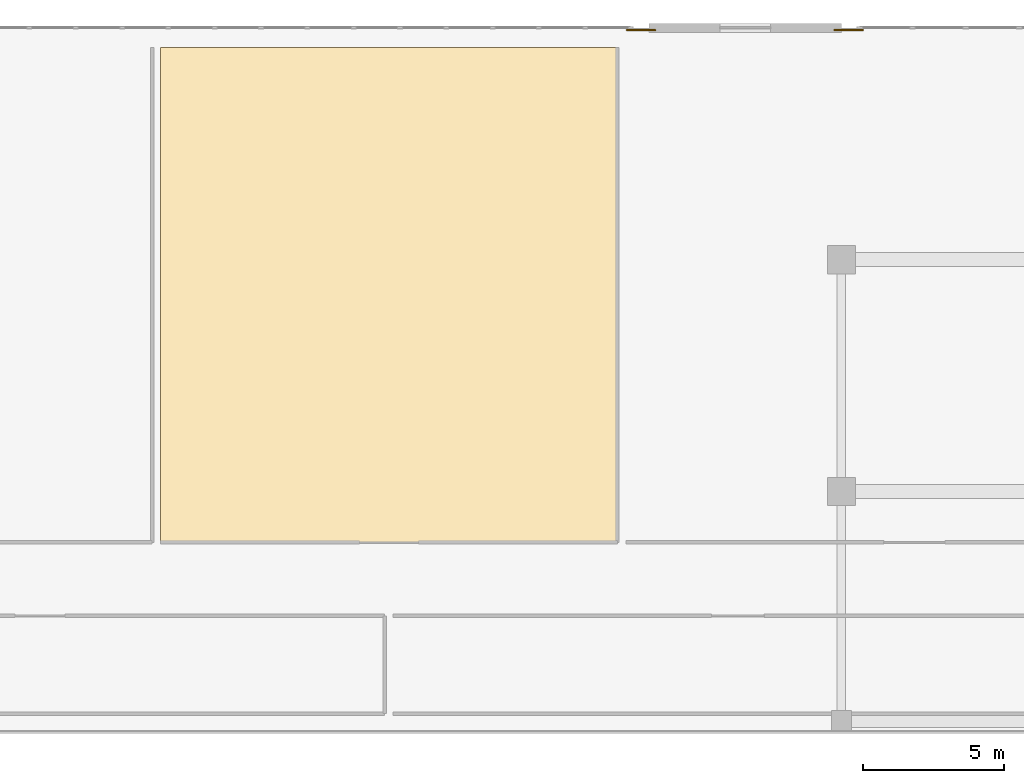
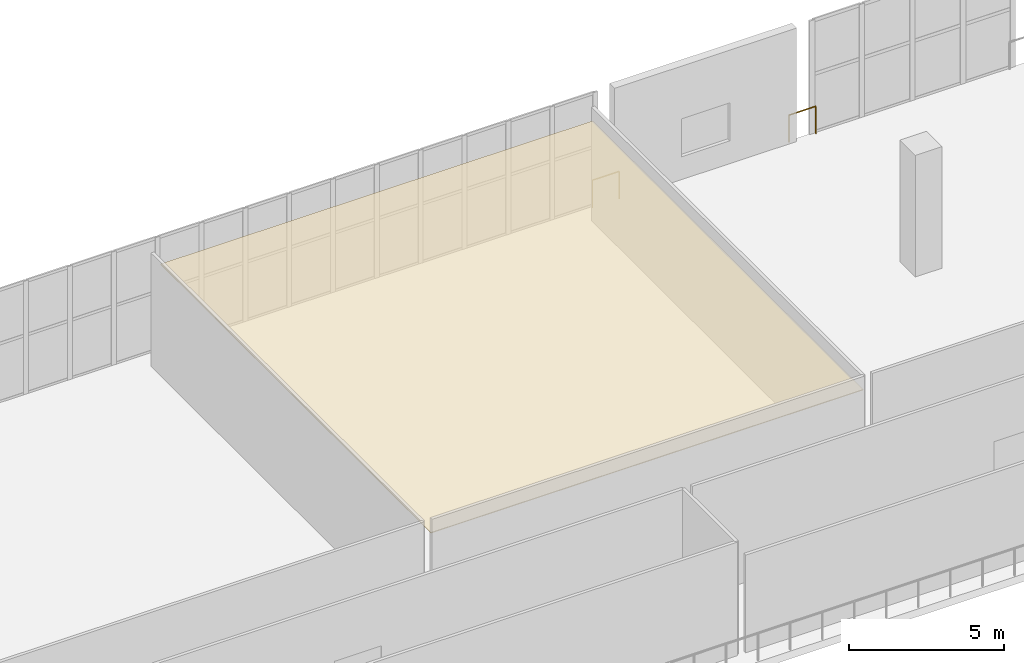
# One storey, part 140 of 142: 2 railings, 1 covering.
"""IFC4 building model written with IfcOpenShell, lengths in metres."""

from ifc_helpers import new_model, si_unit, direction, frame, origin, origin_2d, place, context, subcontext, project, spatial, polyline, circle, outline, extrude, material, layer, layer_set, type_object, element, save


model = new_model("IFC4")

# Units and contexts
model_context = context("Model", 3, precision=1e-05, world=origin(), true_north=direction((0.0, 1.0)))
body_context = subcontext(model_context, "Body", "Model", "MODEL_VIEW")
ifc_project = project(units=[si_unit("LENGTHUNIT", "METRE"), si_unit("AREAUNIT", "SQUARE_METRE"), si_unit("VOLUMEUNIT", "CUBIC_METRE"), si_unit("PLANEANGLEUNIT", "RADIAN"), si_unit("MASSUNIT", "GRAM", prefix="KILO")], contexts=[model_context])

# Site, building, storey
site_placement = place(None, origin())
site = spatial("IfcSite", under=ifc_project, at=site_placement, CompositionType="ELEMENT")
building_placement = place(site_placement, origin())
building = spatial("IfcBuilding", under=site, at=building_placement, Name="Koshinbarg Plaza Stadium", CompositionType="ELEMENT")
storey_placement = place(building_placement, frame((0.0, 0.0, 10.199951171875)))
storey = spatial("IfcBuildingStorey", under=building, at=storey_placement, Name="L02", CompositionType="ELEMENT", Elevation=10.199951171875)

# Covering
ifc_material_1 = material(Name="Perforated gypsum acoustic ceiling board")
ifc_layer = layer(ifc_material_1, 0.030029296875)
ifc_layer_set = layer_set([ifc_layer], Name="Perforated gypsum acoustic ceiling board")
covering_type = type_object("IfcCoveringType", Name="COV-CEIL-01", PredefinedType="CEILING", material=ifc_layer_set)
covering_placement = place(storey_placement, frame((0.0, 0.0, 3.89013671875)))
element("IfcCovering", 1, at=covering_placement, inside=storey, type_object=covering_type, Name="L02 Tashkent Sporting Archive Hall acoustic ceiling 026", PredefinedType="CEILING", context=body_context, shape_type="SweptSolid", body=[
    extrude(outline(polyline([(138.723388671875, 133.800048828125), (154.876708984375, 133.800048828125), (154.876708984375, 151.300048828125), (138.723388671875, 151.300048828125), (138.723388671875, 133.800048828125)])), origin(), (0.0, 0.0, 1.0), 0.030029296875),
])

# Railings
ifc_material_2 = material(Name="Toughened laminated glass and stainless steel sightline balustrade", Category="steel")
railing_type = type_object("IfcRailingType", Name="RL-BOWL-1100", PredefinedType="BALUSTRADE", material=ifc_material_2)
for number, where, name in (
    (2, (155.21630859375, 151.919921875, 0.0), "L02 deck edge safety balustrade 0165"),
    (3, (162.558837890625, 151.919921875, 0.0), "L02 deck edge safety balustrade 0166"),
):
    element("IfcRailing", number, at=place(storey_placement, frame(where)), inside=storey, type_object=railing_type, Name=name, PredefinedType="BALUSTRADE", context=body_context, shape_type="SweptSolid", body=[
        extrude(circle(Radius=0.02392578125, at=origin_2d()), frame((0.0, 0.0, 1.076171875), z_axis=(1.0, 0.0, 0.0), x_axis=(0.0, 1.0, 0.0)), (0.0, 0.0, 1.0), 0.99951171875),
        extrude(circle(Radius=0.02099609375, at=origin_2d()), origin(), (0.0, 0.0, 1.0), 1.052001953125),
        extrude(circle(Radius=0.02099609375, at=origin_2d()), frame((0.99951171875, 0.0, 0.0)), (0.0, 0.0, 1.0), 1.052001953125),
    ])

save(model, "model.ifc")
